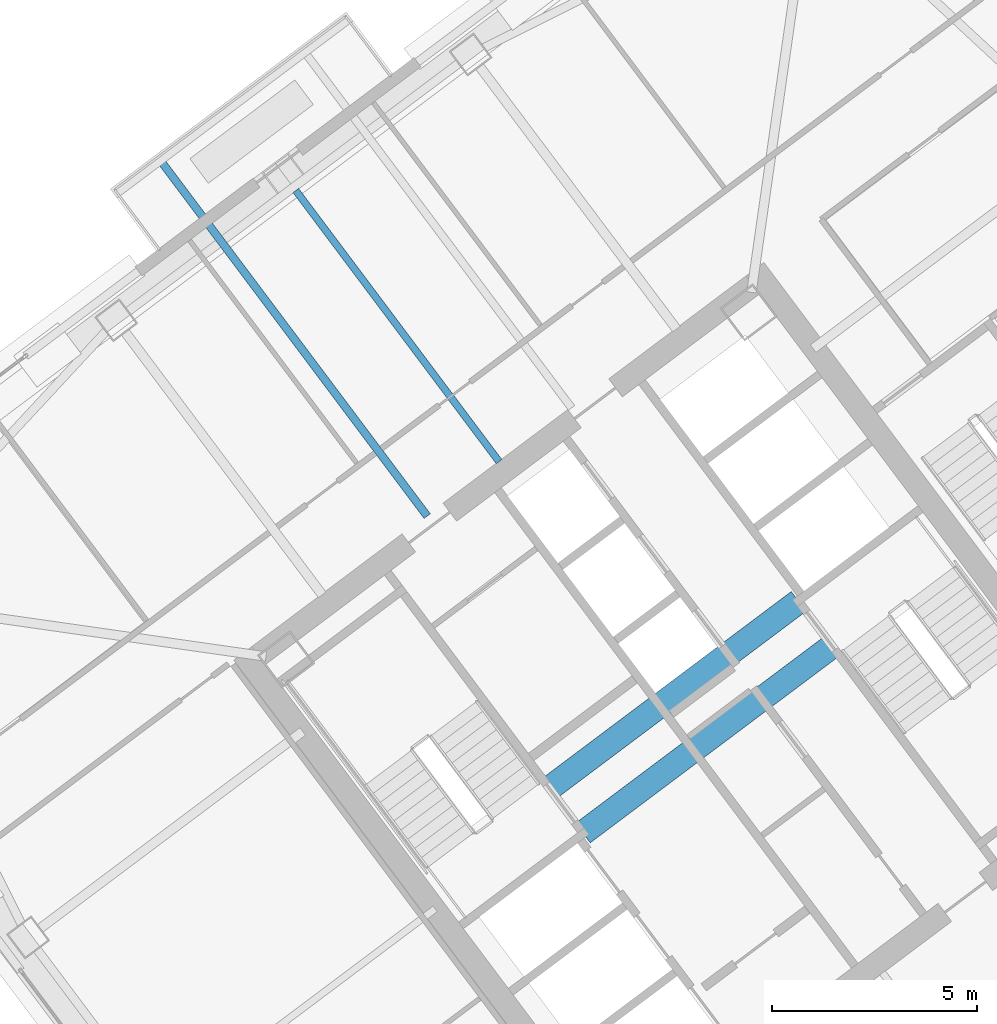
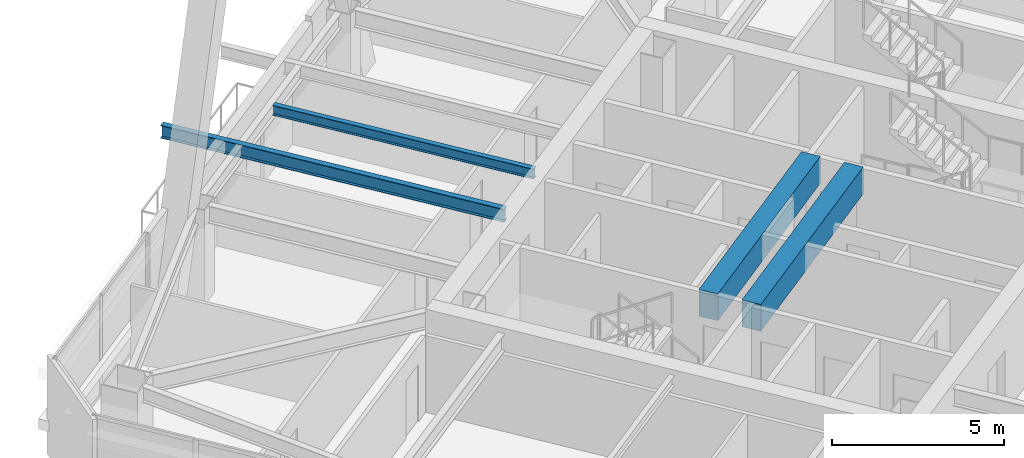
# One storey, part 30 of 55: 4 beams.
"""IFC4 building model written with IfcOpenShell, lengths in metres."""

from ifc_helpers import new_model, si_unit, direction, frame, origin, origin_2d, place, context, subcontext, project, spatial, rectangle, i_section, extrude, material, material_profile, profile_set, type_object, element, save


model = new_model("IFC4")

# Units and contexts
model_context = context("Model", 3, precision=1e-05, world=origin(), true_north=direction((0.0, 1.0)))
body_context = subcontext(model_context, "Body", "Model", "MODEL_VIEW")
ifc_project = project(units=[si_unit("LENGTHUNIT", "METRE"), si_unit("AREAUNIT", "SQUARE_METRE"), si_unit("VOLUMEUNIT", "CUBIC_METRE"), si_unit("PLANEANGLEUNIT", "RADIAN"), si_unit("MASSUNIT", "GRAM", prefix="KILO")], contexts=[model_context])

# Site, building, storey
site_placement = place(None, origin())
site = spatial("IfcSite", under=ifc_project, at=site_placement, CompositionType="ELEMENT")
building_placement = place(site_placement, origin())
building = spatial("IfcBuilding", under=site, at=building_placement, Name="Tashvorn Skyway Center", CompositionType="ELEMENT")
storey_placement = place(building_placement, frame((0.0, 0.0, 178.300048828125)))
storey = spatial("IfcBuildingStorey", under=building, at=storey_placement, Name="L48", CompositionType="ELEMENT", Elevation=178.300048828125)

# Beams
ifc_material_1 = material(Name="Steel ASTM A992 Grade 50", Category="steel")
ifc_material_profile_1 = material_profile(ifc_material_1, i_section(OverallWidth=0.1708984375, OverallDepth=0.35498046875, WebThickness=0.007080078125, FlangeThickness=0.01171875, at=origin_2d()), Name="W14X34")
ifc_profile_set_1 = profile_set([ifc_material_profile_1], Name="Steel ASTM A992 Grade 50")
beam_type_1 = type_object("IfcBeamType", Name="BM-JOIST-W14X34", PredefinedType="JOIST", material=ifc_profile_set_1)
beam_1_placement = place(storey_placement, frame((109.325927734375, 38.23193359375, 3.1923828125), z_axis=(-0.59999527236, 0.800003545708, 0.0), x_axis=(-0.800003545708, -0.59999527236, 0.0)))
element("IfcBeam", 1, at=beam_1_placement, inside=storey, type_object=beam_type_1, Name="Tower 2 L48 Secondary Composite Joist JN", PredefinedType="JOIST", context=body_context, shape_type="SweptSolid", body=[
    extrude(i_section(OverallWidth=0.1708984375, OverallDepth=0.35498046875, WebThickness=0.007080078125, FlangeThickness=0.01171875, at=origin_2d()), origin(), (0.0, 0.0, 1.0), 8.2626953125),
])
ifc_material_profile_2 = material_profile(ifc_material_1, i_section(OverallWidth=0.19091796875, OverallDepth=0.4599609375, WebThickness=0.010009765625, FlangeThickness=0.01611328125, at=origin_2d()), Name="W18X55")
ifc_profile_set_2 = profile_set([ifc_material_profile_2], Name="Steel ASTM A992 Grade 50")
beam_type_2 = type_object("IfcBeamType", Name="BM-JOIST-W18X55", PredefinedType="JOIST", material=ifc_profile_set_2)
beam_2_placement = place(storey_placement, frame((107.572021484375, 36.904052734375, 3.139892578125), z_axis=(-0.599996406394, 0.800002695192, 0.0), x_axis=(-0.800002695192, -0.599996406394, 0.0)))
element("IfcBeam", 2, at=beam_2_placement, inside=storey, type_object=beam_type_2, Name="Tower 2 L49 Terrace Cantilever Outlooker 1", PredefinedType="JOIST", context=body_context, shape_type="SweptSolid", body=[
    extrude(i_section(OverallWidth=0.19091796875, OverallDepth=0.4599609375, WebThickness=0.010009765625, FlangeThickness=0.01611328125, at=origin_2d()), origin(), (0.0, 0.0, 1.0), 10.8701171875),
])
ifc_material_2 = material(Name="Concrete C60/75", Category="concrete")
ifc_material_profile_3 = material_profile(ifc_material_2, rectangle(XDim=0.60009765625, YDim=0.949951171875, at=origin_2d()), Name="RCB600x950")
ifc_profile_set_3 = profile_set([ifc_material_profile_3], Name="Concrete C60/75")
beam_type_3 = type_object("IfcBeamType", Name="BM-LINTEL-RCB600x950", PredefinedType="LINTEL", material=ifc_profile_set_3)
for number, where, z_axis, x_axis, name in (
    (3, (110.552001953125, 30.263916015625, 2.89501953125), (0.8, 0.6, 0.0), (-0.6, 0.8, 0.0), "Tower 2 L48 Core Coupling Beam CN"),
    (4, (111.367919921875, 29.176025390625, 2.89501953125), (0.8, 0.6, 0.0), (-0.6, 0.8, 0.0), "Tower 2 L48 Core Coupling Beam CS"),
):
    element("IfcBeam", number, at=place(storey_placement, frame(where, z_axis=z_axis, x_axis=x_axis)), inside=storey, type_object=beam_type_3, Name=name, PredefinedType="LINTEL", context=body_context, shape_type="SweptSolid", body=[
        extrude(rectangle(XDim=0.60009765625, YDim=0.949951171875, at=origin_2d()), origin(), (0.0, 0.0, 1.0), 7.60009765625),
    ])

save(model, "model.ifc")
